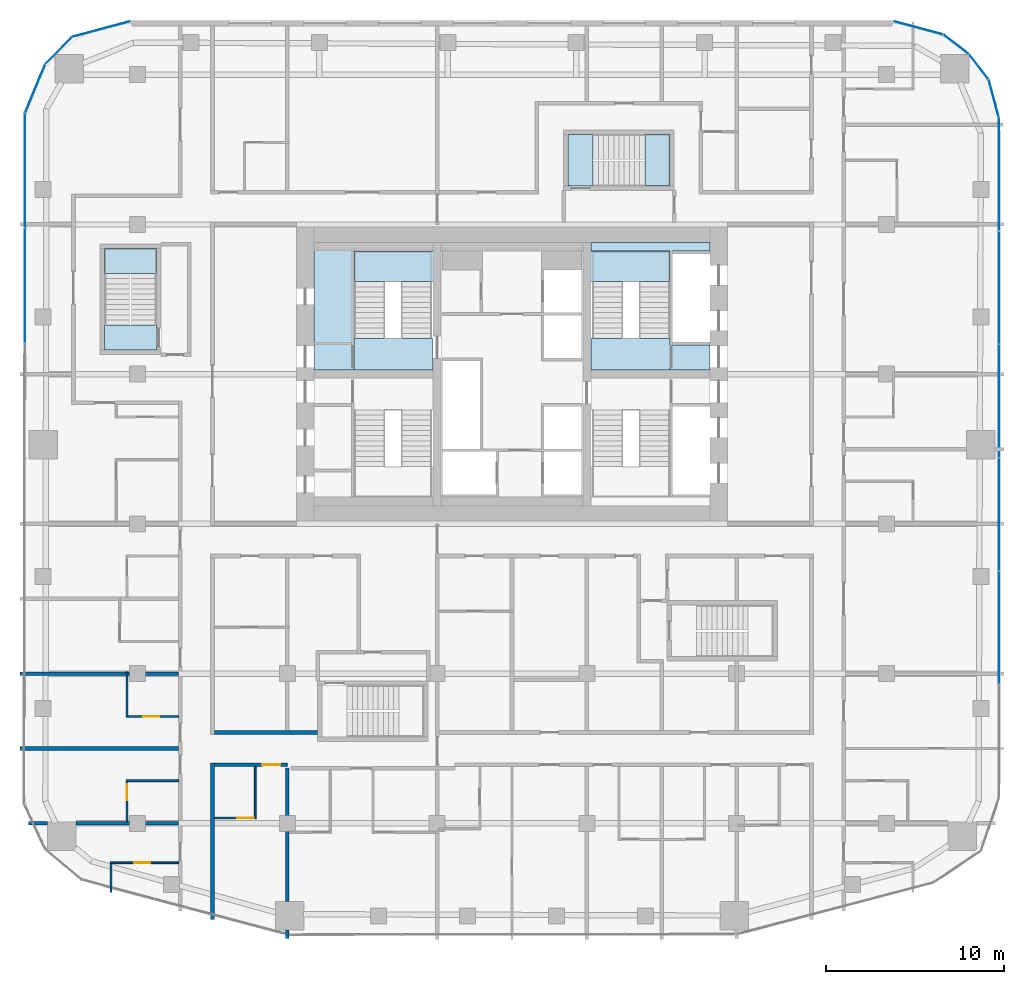
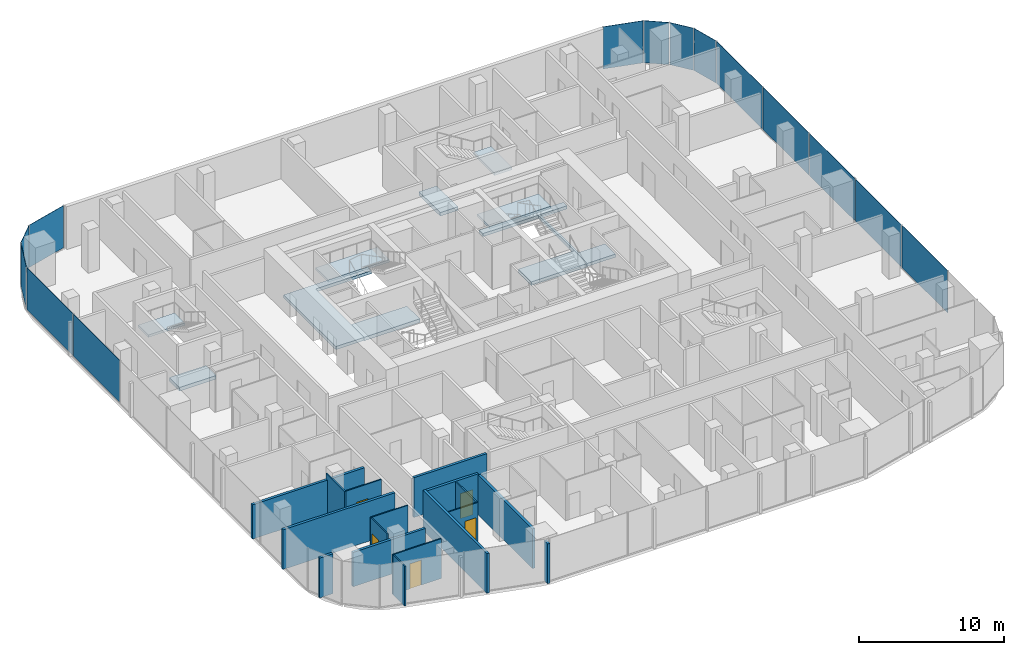
# One storey, part 13 of 23: 17 walls, 14 plates, 10 slabs, 5 doors, 5 openings, 13 elements without a shape of their own.
"""IFC4 building model written with IfcOpenShell, lengths in metres."""

from ifc_helpers import new_model, si_unit, direction, frame, frame_2d, origin, origin_2d, place, context, subcontext, project, spatial, polyline, rectangle, outline, extrude, material, layer, layer_set, type_object, element, fill, aggregate, save


model = new_model("IFC4")

# Units and contexts
model_context = context("Model", 3, precision=1e-05, world=origin(), true_north=direction((0.0, 1.0)))
body_context = subcontext(model_context, "Body", "Model", "MODEL_VIEW")
ifc_project = project(units=[si_unit("LENGTHUNIT", "METRE"), si_unit("AREAUNIT", "SQUARE_METRE"), si_unit("VOLUMEUNIT", "CUBIC_METRE"), si_unit("PLANEANGLEUNIT", "RADIAN"), si_unit("MASSUNIT", "GRAM", prefix="KILO")], contexts=[model_context])

# Site, building, storey
site_placement = place(None, origin())
site = spatial("IfcSite", under=ifc_project, at=site_placement, CompositionType="ELEMENT")
building_placement = place(site_placement, origin())
building = spatial("IfcBuilding", under=site, at=building_placement, Name="Marenta Gate Hotel Tower", CompositionType="ELEMENT")
storey_placement = place(building_placement, frame((0.0, 0.0, 155.300048828125)))
storey = spatial("IfcBuildingStorey", under=building, at=storey_placement, Name="L36", CompositionType="ELEMENT", Elevation=155.300048828125)

# Slabs
ifc_material_1 = material(Name="Concrete C40", Category="concrete")
ifc_layer_1 = layer(ifc_material_1, 0.260009765625)
ifc_layer_set_1 = layer_set([ifc_layer_1], Name="Concrete C40")
slab_type_1 = type_object("IfcSlabType", Name="Core floor slab 260", PredefinedType="FLOOR", material=ifc_layer_set_1)
slab_1_placement = place(storey_placement, frame((0.0, 0.0, -0.260009765625)))
element("IfcSlab", 1, at=slab_1_placement, inside=storey, type_object=slab_type_1, Name="L36-CF-3", PredefinedType="FLOOR", context=body_context, shape_type="SweptSolid", body=[
    extrude(outline(polyline([(8.85009765625, 15.300048828125), (4.425048828125, 15.300048828125), (4.425048828125, 15.800048828125), (11.10009765625, 15.800048828125), (11.10009765625, 15.300048828125), (9.0, 15.300048828125), (9.0, 15.14990234375), (9.0, 12.75), (9.0, 12.60009765625), (9.0, 10.199951171875), (9.0, 10.050048828125), (11.10009765625, 10.050048828125), (11.10009765625, 8.625), (8.85009765625, 8.625), (8.85009765625, 8.699951171875), (8.85009765625, 10.39990234375), (8.85009765625, 15.300048828125)])), origin(), (0.0, 0.0, 1.0), 0.260009765625),
])
slab_2_placement = place(storey_placement, frame((0.0, 0.0, -0.260009765625)))
element("IfcSlab", 2, at=slab_2_placement, inside=storey, type_object=slab_type_1, Name="L36-CF-6", PredefinedType="FLOOR", context=body_context, shape_type="SweptSolid", body=[
    extrude(outline(polyline([(-4.425048828125, 15.300048828125), (-8.85009765625, 15.300048828125), (-8.85009765625, 10.39990234375), (-8.85009765625, 8.699951171875), (-8.85009765625, 8.625), (-11.10009765625, 8.625), (-11.10009765625, 15.800048828125), (-4.425048828125, 15.800048828125), (-4.425048828125, 15.300048828125)])), origin(), (0.0, 0.0, 1.0), 0.260009765625),
])

# Stair, slab
ifc_material_2 = material(Name="Concrete C40", Category="concrete")
stair_type_1 = type_object("IfcStairType", Name="Core exit stair 1700 wide", PredefinedType="HALF_TURN_STAIR", material=ifc_material_2)
stair_1_placement = place(storey_placement, origin())
stair_1 = element("IfcStair", 3, at=stair_1_placement, inside=storey, type_object=stair_type_1, Name="Exit stair 2", PredefinedType="HALF_TURN_STAIR")
ifc_material_3 = material(Name="Concrete C40", Category="concrete")
ifc_layer_2 = layer(ifc_material_3, 0.199951171875)
ifc_layer_set_2 = layer_set([ifc_layer_2], Name="Concrete C40")
slab_type_2 = type_object("IfcSlabType", Name="Core stair landing 200", PredefinedType="LANDING", material=ifc_layer_set_2)
slab_3_placement = place(storey_placement, frame((0.0, 0.0, 1.599853515625)))
slab_3 = element("IfcSlab", 4, at=slab_3_placement, type_object=slab_type_2, Name="SL-200 ST2 landing 1", PredefinedType="LANDING", context=body_context, shape_type="SweptSolid", body=[
    extrude(outline(polyline([(-8.85009765625, 13.590087890625), (-3.97509765625, 13.590087890625), (-3.97509765625, 15.300048828125), (-8.85009765625, 15.300048828125), (-8.85009765625, 13.590087890625)])), origin(), (0.0, 0.0, 1.0), 0.2001953125),
])
aggregate(stair_1, [slab_3])

stair_2_placement = place(storey_placement, origin())
stair_2 = element("IfcStair", 5, at=stair_2_placement, inside=storey, type_object=stair_type_1, Name="Exit stair 4", PredefinedType="HALF_TURN_STAIR")
slab_4_placement = place(storey_placement, frame((0.0, 0.0, 1.599853515625)))
slab_4 = element("IfcSlab", 6, at=slab_4_placement, type_object=slab_type_2, Name="SL-200 ST4 landing 1", PredefinedType="LANDING", context=body_context, shape_type="SweptSolid", body=[
    extrude(outline(polyline([(3.97509765625, 13.590087890625), (8.85009765625, 13.590087890625), (8.85009765625, 15.300048828125), (3.97509765625, 15.300048828125), (3.97509765625, 13.590087890625)])), origin(), (0.0, 0.0, 1.0), 0.2001953125),
])
aggregate(stair_2, [slab_4])

# Curtain wall, plate
ifc_material_4 = material(Name="Tinted insulated glass in bronze anodised frame", Category="glass")
ifc_layer_3 = layer(ifc_material_4, 0.1201171875)
ifc_layer_set_3 = layer_set([ifc_layer_3], Name="Tinted insulated glass in bronze anodised frame")
curtain_wall_type = type_object("IfcCurtainWallType", Name="Tower unitised curtain wall CW1", PredefinedType="NOTDEFINED", material=ifc_layer_set_3)
curtain_wall_1_placement = place(storey_placement, origin())
curtain_wall_1 = element("IfcCurtainWall", 7, at=curtain_wall_1_placement, inside=storey, type_object=curtain_wall_type, Name="CW1 run G00", PredefinedType="NOTDEFINED")
ifc_material_5 = material(Name="Tinted insulated glass", Category="glass")
ifc_layer_4 = layer(ifc_material_5, 0.028076171875)
ifc_layer_set_4 = layer_set([ifc_layer_4], Name="Tinted insulated glass")
plate_type = type_object("IfcPlateType", Name="Glass panel CW1 28 mm tinted insulated unit", PredefinedType="CURTAIN_PANEL", material=ifc_layer_set_4)
plate_1_placement = place(storey_placement, frame((-23.04052734375, 27.759765625, 0.059814453125), z_axis=(0.0, 0.0, 1.0), x_axis=(-0.96593059835, -0.258801234873, 0.0)))
plate_1 = element("IfcPlate", 8, at=plate_1_placement, type_object=plate_type, Name="CW1 panel 1.1", PredefinedType="CURTAIN_PANEL", context=body_context, shape_type="SweptSolid", body=[
    extrude(rectangle(XDim=3.366943359375, YDim=0.028076171875, at=origin_2d()), origin(), (0.0, 0.0, 1.0), 3.5400390625),
])
aggregate(curtain_wall_1, [plate_1])

curtain_wall_2_placement = place(storey_placement, origin())
curtain_wall_2 = element("IfcCurtainWall", 9, at=curtain_wall_2_placement, inside=storey, type_object=curtain_wall_type, Name="CW1 run G01", PredefinedType="NOTDEFINED")
plate_2_placement = place(storey_placement, frame((-25.440673828125, 26.550048828125, 0.059814453125), z_axis=(0.0, 0.0, 1.0), x_axis=(-0.707106781187, -0.707106781187, 0.0)))
plate_2 = element("IfcPlate", 10, at=plate_2_placement, type_object=plate_type, Name="CW1 panel 1.1", PredefinedType="CURTAIN_PANEL", context=body_context, shape_type="SweptSolid", body=[
    extrude(rectangle(XDim=2.069091796875, YDim=0.028076171875, at=origin_2d()), origin(), (0.0, 0.0, 1.0), 3.5400390625),
])
aggregate(curtain_wall_2, [plate_2])

curtain_wall_3_placement = place(storey_placement, origin())
curtain_wall_3 = element("IfcCurtainWall", 11, at=curtain_wall_3_placement, inside=storey, type_object=curtain_wall_type, Name="CW1 run G02", PredefinedType="NOTDEFINED")
plate_3_placement = place(storey_placement, frame((-26.75390625, 24.41455078125, 0.059814453125), z_axis=(0.0, 0.0, 1.0), x_axis=(-0.382671975111, -0.923884278178, 0.0)))
plate_3 = element("IfcPlate", 12, at=plate_3_placement, type_object=plate_type, Name="CW1 panel 1.1", PredefinedType="CURTAIN_PANEL", context=body_context, shape_type="SweptSolid", body=[
    extrude(rectangle(XDim=2.919189453125, YDim=0.028076171875, at=origin_2d()), origin(), (0.0, 0.0, 1.0), 3.5400390625),
])
aggregate(curtain_wall_3, [plate_3])

# Curtain wall, plates
curtain_wall_4_placement = place(storey_placement, origin())
curtain_wall_4 = element("IfcCurtainWall", 13, at=curtain_wall_4_placement, inside=storey, type_object=curtain_wall_type, Name="CW1 run G03", PredefinedType="NOTDEFINED")
plate_4_placement = place(storey_placement, frame((-27.3173828125, 19.8212890625, 0.059814453125), z_axis=(0.0, 0.0, 1.0), x_axis=(-0.001566045546, -0.99999877375, 0.0)))
plate_4 = element("IfcPlate", 14, at=plate_4_placement, type_object=plate_type, Name="CW1 panel 1.1", PredefinedType="CURTAIN_PANEL", context=body_context, shape_type="SweptSolid", body=[
    extrude(rectangle(XDim=6.3701171875, YDim=0.028076171875, at=origin_2d()), origin(), (0.0, 0.0, 1.0), 3.5400390625),
])
plate_5_placement = place(storey_placement, frame((-27.327392578125, 13.376220703125, 0.059814453125), z_axis=(0.0, 0.0, 1.0), x_axis=(-0.001566045546, -0.99999877375, 0.0)))
plate_5 = element("IfcPlate", 15, at=plate_5_placement, type_object=plate_type, Name="CW1 panel 2.1", PredefinedType="CURTAIN_PANEL", context=body_context, shape_type="SweptSolid", body=[
    extrude(rectangle(XDim=6.39990234375, YDim=0.028076171875, at=origin_2d()), origin(), (0.0, 0.0, 1.0), 3.5400390625),
])
aggregate(curtain_wall_4, [plate_4, plate_5])

curtain_wall_5_placement = place(storey_placement, origin())
curtain_wall_5 = element("IfcCurtainWall", 16, at=curtain_wall_5_placement, inside=storey, type_object=curtain_wall_type, Name="CW1 run G11", PredefinedType="NOTDEFINED")
plate_6_placement = place(storey_placement, frame((27.31396484375, -5.828125, 0.059814453125), z_axis=(0.0, 0.0, 1.0), x_axis=(0.0, 1.0, 0.0)))
plate_6 = element("IfcPlate", 17, at=plate_6_placement, type_object=plate_type, Name="CW1 panel 2.1", PredefinedType="CURTAIN_PANEL", context=body_context, shape_type="SweptSolid", body=[
    extrude(rectangle(XDim=6.300048828125, YDim=0.028076171875, at=origin_2d()), origin(), (0.0, 0.0, 1.0), 3.5400390625),
])
plate_7_placement = place(storey_placement, frame((27.31396484375, 0.531982421875, 0.059814453125), z_axis=(0.0, 0.0, 1.0), x_axis=(0.0, 1.0, 0.0)))
plate_7 = element("IfcPlate", 18, at=plate_7_placement, type_object=plate_type, Name="CW1 panel 3.1", PredefinedType="CURTAIN_PANEL", context=body_context, shape_type="SweptSolid", body=[
    extrude(rectangle(XDim=6.300048828125, YDim=0.028076171875, at=origin_2d()), origin(), (0.0, 0.0, 1.0), 3.5400390625),
])
plate_8_placement = place(storey_placement, frame((27.31396484375, 6.891845703125, 0.059814453125), z_axis=(0.0, 0.0, 1.0), x_axis=(0.0, 1.0, 0.0)))
plate_8 = element("IfcPlate", 19, at=plate_8_placement, type_object=plate_type, Name="CW1 panel 4.1", PredefinedType="CURTAIN_PANEL", context=body_context, shape_type="SweptSolid", body=[
    extrude(rectangle(XDim=6.300048828125, YDim=0.028076171875, at=origin_2d()), origin(), (0.0, 0.0, 1.0), 3.5400390625),
])
plate_9_placement = place(storey_placement, frame((27.31396484375, 13.251953125, 0.059814453125), z_axis=(0.0, 0.0, 1.0), x_axis=(0.0, 1.0, 0.0)))
plate_9 = element("IfcPlate", 20, at=plate_9_placement, type_object=plate_type, Name="CW1 panel 5.1", PredefinedType="CURTAIN_PANEL", context=body_context, shape_type="SweptSolid", body=[
    extrude(rectangle(XDim=6.300048828125, YDim=0.028076171875, at=origin_2d()), origin(), (0.0, 0.0, 1.0), 3.5400390625),
])
plate_10_placement = place(storey_placement, frame((27.31396484375, 19.626953125, 0.059814453125), z_axis=(0.0, 0.0, 1.0), x_axis=(0.0, 1.0, 0.0)))
plate_10 = element("IfcPlate", 21, at=plate_10_placement, type_object=plate_type, Name="CW1 panel 6.1", PredefinedType="CURTAIN_PANEL", context=body_context, shape_type="SweptSolid", body=[
    extrude(rectangle(XDim=6.330078125, YDim=0.028076171875, at=origin_2d()), origin(), (0.0, 0.0, 1.0), 3.5400390625),
])
aggregate(curtain_wall_5, [plate_6, plate_7, plate_8, plate_9, plate_10])

# Curtain wall, plate
curtain_wall_6_placement = place(storey_placement, origin())
curtain_wall_6 = element("IfcCurtainWall", 22, at=curtain_wall_6_placement, inside=storey, type_object=curtain_wall_type, Name="CW1 run G12", PredefinedType="NOTDEFINED")
plate_11_placement = place(storey_placement, frame((27.022216796875, 23.880615234375, 0.059814453125), z_axis=(0.0, 0.0, 1.0), x_axis=(-0.258822651658, 0.965924859908, 0.0)))
plate_11 = element("IfcPlate", 23, at=plate_11_placement, type_object=plate_type, Name="CW1 panel 1.1", PredefinedType="CURTAIN_PANEL", context=body_context, shape_type="SweptSolid", body=[
    extrude(rectangle(XDim=2.13427734375, YDim=0.028076171875, at=origin_2d()), origin(), (0.0, 0.0, 1.0), 3.5400390625),
])
aggregate(curtain_wall_6, [plate_11])

curtain_wall_7_placement = place(storey_placement, origin())
curtain_wall_7 = element("IfcCurtainWall", 24, at=curtain_wall_7_placement, inside=storey, type_object=curtain_wall_type, Name="CW1 run G13", PredefinedType="NOTDEFINED")
plate_12_placement = place(storey_placement, frame((26.177490234375, 25.652099609375, 0.059814453125), z_axis=(0.0, 0.0, 1.0), x_axis=(-0.608796116694, 0.793326722289, 0.0)))
plate_12 = element("IfcPlate", 25, at=plate_12_placement, type_object=plate_type, Name="CW1 panel 1.1", PredefinedType="CURTAIN_PANEL", context=body_context, shape_type="SweptSolid", body=[
    extrude(rectangle(XDim=1.747802734375, YDim=0.028076171875, at=origin_2d()), origin(), (0.0, 0.0, 1.0), 3.5400390625),
])
aggregate(curtain_wall_7, [plate_12])

curtain_wall_8_placement = place(storey_placement, origin())
curtain_wall_8 = element("IfcCurtainWall", 26, at=curtain_wall_8_placement, inside=storey, type_object=curtain_wall_type, Name="CW1 run G14", PredefinedType="NOTDEFINED")
plate_13_placement = place(storey_placement, frame((24.904541015625, 26.9140625, 0.059814453125), z_axis=(0.0, 0.0, 1.0), x_axis=(-0.793326722289, 0.608796116694, 0.0)))
plate_13 = element("IfcPlate", 27, at=plate_13_placement, type_object=plate_type, Name="CW1 panel 1.1", PredefinedType="CURTAIN_PANEL", context=body_context, shape_type="SweptSolid", body=[
    extrude(rectangle(XDim=1.747802734375, YDim=0.028076171875, at=origin_2d()), origin(), (0.0, 0.0, 1.0), 3.5400390625),
])
aggregate(curtain_wall_8, [plate_13])

curtain_wall_9_placement = place(storey_placement, origin())
curtain_wall_9 = element("IfcCurtainWall", 28, at=curtain_wall_9_placement, inside=storey, type_object=curtain_wall_type, Name="CW1 run G15", PredefinedType="NOTDEFINED")
plate_14_placement = place(storey_placement, frame((22.783935546875, 27.82861328125, 0.059814453125), z_axis=(0.0, 0.0, 1.0), x_axis=(-0.965929324305, 0.258805989975, 0.0)))
plate_14 = element("IfcPlate", 29, at=plate_14_placement, type_object=plate_type, Name="CW1 panel 1.1", PredefinedType="CURTAIN_PANEL", context=body_context, shape_type="SweptSolid", body=[
    extrude(rectangle(XDim=2.83544921875, YDim=0.028076171875, at=origin_2d()), origin(), (0.0, 0.0, 1.0), 3.5400390625),
])
aggregate(curtain_wall_9, [plate_14])

# Stair, slab
ifc_material_6 = material(Name="Concrete C40", Category="concrete")
stair_type_2 = type_object("IfcStairType", Name="Remote exit stair 1400 wide", PredefinedType="HALF_TURN_STAIR", material=ifc_material_6)
stair_3_placement = place(storey_placement, origin())
stair_3 = element("IfcStair", 30, at=stair_3_placement, inside=storey, type_object=stair_type_2, Name="Exit stair RS-Z1-3", PredefinedType="HALF_TURN_STAIR")
ifc_material_7 = material(Name="Concrete C40", Category="concrete")
ifc_layer_5 = layer(ifc_material_7, 0.199951171875)
ifc_layer_set_5 = layer_set([ifc_layer_5], Name="Concrete C40")
slab_type_3 = type_object("IfcSlabType", Name="Remote stair landing 200", PredefinedType="LANDING", material=ifc_layer_set_5)
slab_5_placement = place(storey_placement, frame((0.0, 0.0, 1.599853515625)))
slab_5 = element("IfcSlab", 31, at=slab_5_placement, type_object=slab_type_3, Name="RL-200 RS-Z1-3 landing 1", PredefinedType="LANDING", context=body_context, shape_type="SweptSolid", body=[
    extrude(outline(polyline([(-22.85009765625, 14.050048828125), (-19.949951171875, 14.050048828125), (-19.949951171875, 15.449951171875), (-22.85009765625, 15.449951171875), (-22.85009765625, 14.050048828125)])), origin(), (0.0, 0.0, 1.0), 0.2001953125),
])
aggregate(stair_3, [slab_5])

stair_4_placement = place(storey_placement, origin())
stair_4 = element("IfcStair", 32, at=stair_4_placement, inside=storey, type_object=stair_type_2, Name="Exit stair RS-Z2-4", PredefinedType="HALF_TURN_STAIR")
slab_6_placement = place(storey_placement, frame((0.0, 0.0, 1.599853515625)))
slab_6 = element("IfcSlab", 33, at=slab_6_placement, type_object=slab_type_3, Name="RL-200 RS-Z2-4 landing 1", PredefinedType="LANDING", context=body_context, shape_type="SweptSolid", body=[
    extrude(outline(polyline([(7.449951171875, 18.949951171875), (8.85009765625, 18.949951171875), (8.85009765625, 21.85009765625), (7.449951171875, 21.85009765625), (7.449951171875, 18.949951171875)])), origin(), (0.0, 0.0, 1.0), 0.2001953125),
])
aggregate(stair_4, [slab_6])

# Slabs
ifc_material_8 = material(Name="Concrete C40", Category="concrete")
ifc_layer_6 = layer(ifc_material_8, 0.300048828125)
ifc_layer_set_6 = layer_set([ifc_layer_6], Name="Concrete C40")
slab_type_4 = type_object("IfcSlabType", Name="Stair floor landing slab 300", PredefinedType="FLOOR", material=ifc_layer_set_6)
slab_7_placement = place(storey_placement, frame((0.0, 0.0, -0.300048828125)))
element("IfcSlab", 34, at=slab_7_placement, inside=storey, type_object=slab_type_4, Name="L36-CL-ST2-1", PredefinedType="FLOOR", context=body_context, shape_type="SweptSolid", body=[
    extrude(outline(polyline([(-4.425048828125, 8.625), (-8.85009765625, 8.625), (-8.85009765625, 8.699951171875), (-8.85009765625, 10.39990234375), (-4.425048828125, 10.39990234375), (-4.425048828125, 8.625)])), origin(), (0.0, 0.0, 1.0), 0.300048828125),
])
slab_8_placement = place(storey_placement, frame((0.0, 0.0, -0.300048828125)))
element("IfcSlab", 35, at=slab_8_placement, inside=storey, type_object=slab_type_4, Name="L36-CL-ST4-1", PredefinedType="FLOOR", context=body_context, shape_type="SweptSolid", body=[
    extrude(outline(polyline([(4.425048828125, 8.625), (4.425048828125, 10.39990234375), (8.85009765625, 10.39990234375), (8.85009765625, 8.699951171875), (8.85009765625, 8.625), (4.425048828125, 8.625)])), origin(), (0.0, 0.0, 1.0), 0.300048828125),
])
slab_9_placement = place(storey_placement, frame((0.0, 0.0, -0.300048828125)))
element("IfcSlab", 36, at=slab_9_placement, inside=storey, type_object=slab_type_4, Name="L36-RS-Z1-3-CL", PredefinedType="FLOOR", context=body_context, shape_type="SweptSolid", body=[
    extrude(outline(polyline([(-19.949951171875, 9.75), (-19.949951171875, 11.14990234375), (-22.85009765625, 11.14990234375), (-22.85009765625, 9.75), (-19.949951171875, 9.75)])), origin(), (0.0, 0.0, 1.0), 0.300048828125),
])
slab_10_placement = place(storey_placement, frame((0.0, 0.0, -0.300048828125)))
element("IfcSlab", 37, at=slab_10_placement, inside=storey, type_object=slab_type_4, Name="L36-RS-Z2-4-CL", PredefinedType="FLOOR", context=body_context, shape_type="SweptSolid", body=[
    extrude(outline(polyline([(4.550048828125, 18.949951171875), (4.550048828125, 21.85009765625), (3.14990234375, 21.85009765625), (3.14990234375, 18.949951171875), (4.550048828125, 18.949951171875)])), origin(), (0.0, 0.0, 1.0), 0.300048828125),
])

# Wall, opening, door
ifc_material_9 = material(Name="Gypsum board on steel stud", Category="steel")
ifc_layer_7 = layer(ifc_material_9, 0.199951171875)
ifc_layer_set_7 = layer_set([ifc_layer_7], Name="Gypsum board on steel stud")
wall_type_1 = type_object("IfcWallType", Name="Room corridor wall 200 EI 60", PredefinedType="PARTITIONING", material=ifc_layer_set_7)
wall_1_placement = place(storey_placement, frame((-16.699951171875, -13.5, 0.0), z_axis=(0.0, 0.0, 1.0), x_axis=(1.0, 0.0, 0.0)))
wall_1 = element("IfcWall", 38, at=wall_1_placement, inside=storey, type_object=wall_type_1, Name="L36-PTN-W025", PredefinedType="PARTITIONING", context=body_context, shape_type="SweptSolid", body=[
    extrude(rectangle(XDim=4.099853515625, YDim=0.199951171875, at=frame_2d((2.0498046875, 0.0))), origin(), (0.0, 0.0, 1.0), 3.33984375),
])
opening_1_placement = place(wall_1_placement, frame((2.699951171875, 0.0, 0.0)))
opening_1 = element("IfcOpeningElement", 39, at=opening_1_placement, cuts=wall_1, Name="Opening G13-29", PredefinedType="OPENING", context=body_context, shape_type="SweptSolid", body=[
    extrude(rectangle(XDim=1.0, YDim=2.10009765625, at=frame_2d((0.5, 1.050048828125))), frame((0.0, 0.10009765625, 0.0), z_axis=(0.0, -1.0, 0.0), x_axis=(1.0, 0.0, 0.0)), (0.0, 0.0, 1.0), 0.199951171875),
])
ifc_material_10 = material(Name="Timber door leaf", Category="wood")
door_type_1 = type_object("IfcDoorType", Name="Guest room door 1000x2100 EI 30", OperationType="NOTDEFINED", PredefinedType="DOOR", material=ifc_material_10)
door_1_placement = place(opening_1_placement, origin())
door_1 = element("IfcDoor", 40, at=door_1_placement, inside=storey, type_object=door_type_1, Name="L36-PD-D029", OperationType="SINGLE_SWING_LEFT", OverallHeight=2.10009765625, OverallWidth=1.0, PredefinedType="DOOR", context=body_context, shape_type="SweptSolid", body=[
    extrude(rectangle(XDim=1.0, YDim=2.10009765625, at=frame_2d((0.5, 1.050048828125))), frame((0.0, 0.02490234375, 0.0), z_axis=(0.0, -1.0, 0.0), x_axis=(1.0, 0.0, 0.0)), (0.0, 0.0, 1.0), 0.050048828125),
])
fill(opening_1, door_1)

# Walls
wall_2_placement = place(storey_placement, frame((-16.699951171875, -11.699951171875, 0.0), z_axis=(0.0, 0.0, 1.0), x_axis=(1.0, 0.0, 0.0)))
element("IfcWall", 41, at=wall_2_placement, inside=storey, type_object=wall_type_1, Name="L36-PTN-W033", PredefinedType="PARTITIONING", context=body_context, shape_type="SweptSolid", body=[
    extrude(rectangle(XDim=5.800048828125, YDim=0.199951171875, at=frame_2d((2.89990234375, 0.0))), origin(), (0.0, 0.0, 1.0), 3.33984375),
])
wall_3_placement = place(storey_placement, frame((-16.800048828125, -22.18603515625, 0.0), z_axis=(0.0, 0.0, 1.0), x_axis=(0.0, 1.0, 0.0)))
element("IfcWall", 42, at=wall_3_placement, inside=storey, type_object=wall_type_1, Name="L36-PTN-W094", PredefinedType="PARTITIONING", context=body_context, shape_type="SweptSolid", body=[
    extrude(rectangle(XDim=8.7861328125, YDim=0.199951171875, at=frame_2d((4.39306640625, 0.0))), origin(), (0.0, 0.0, 1.0), 3.33984375),
])

# Wall, opening, door
ifc_material_11 = material(Name="Gypsum board on steel stud", Category="steel")
ifc_layer_8 = layer(ifc_material_11, 0.10009765625)
ifc_layer_set_8 = layer_set([ifc_layer_8], Name="Gypsum board on steel stud")
wall_type_2 = type_object("IfcWallType", Name="Room partition 100", PredefinedType="PARTITIONING", material=ifc_layer_set_8)
wall_4_placement = place(storey_placement, frame((-22.550048828125, -19.008056640625, 0.0), z_axis=(0.0, 0.0, 1.0), x_axis=(1.0, 0.0, 0.0)))
wall_4 = element("IfcWall", 43, at=wall_4_placement, inside=storey, type_object=wall_type_2, Name="L36-PTN-W007", PredefinedType="PARTITIONING", context=body_context, shape_type="SweptSolid", body=[
    extrude(rectangle(XDim=3.85009765625, YDim=0.10009765625, at=frame_2d((1.925048828125, 0.0))), origin(), (0.0, 0.0, 1.0), 3.33984375),
])
opening_2_placement = place(wall_4_placement, frame((1.35498046875, 0.0, 0.0)))
opening_2 = element("IfcOpeningElement", 44, at=opening_2_placement, cuts=wall_4, Name="Opening G13-44", PredefinedType="OPENING", context=body_context, shape_type="SweptSolid", body=[
    extrude(rectangle(XDim=0.89990234375, YDim=2.10009765625, at=frame_2d((0.449951171875, 1.050048828125))), frame((0.0, 0.050048828125, 0.0), z_axis=(0.0, -1.0, 0.0), x_axis=(1.0, 0.0, 0.0)), (0.0, 0.0, 1.0), 0.10009765625),
])
ifc_material_12 = material(Name="Timber door leaf", Category="wood")
door_type_2 = type_object("IfcDoorType", Name="Guest bathroom door 900x2100", OperationType="NOTDEFINED", PredefinedType="DOOR", material=ifc_material_12)
door_2_placement = place(opening_2_placement, origin())
door_2 = element("IfcDoor", 45, at=door_2_placement, inside=storey, type_object=door_type_2, Name="L36-PD-D044", OperationType="SINGLE_SWING_LEFT", OverallHeight=2.10009765625, OverallWidth=0.89990234375, PredefinedType="DOOR", context=body_context, shape_type="SweptSolid", body=[
    extrude(rectangle(XDim=0.89990234375, YDim=2.10009765625, at=frame_2d((0.449951171875, 1.050048828125))), frame((0.0, 0.02490234375, 0.0), z_axis=(0.0, -1.0, 0.0), x_axis=(1.0, 0.0, 0.0)), (0.0, 0.0, 1.0), 0.050048828125),
])
fill(opening_2, door_2)

wall_5_placement = place(storey_placement, frame((-16.699951171875, -16.5, 0.0), z_axis=(0.0, 0.0, 1.0), x_axis=(1.0, 0.0, 0.0)))
wall_5 = element("IfcWall", 46, at=wall_5_placement, inside=storey, type_object=wall_type_2, Name="L36-PTN-W020", PredefinedType="PARTITIONING", context=body_context, shape_type="SweptSolid", body=[
    extrude(rectangle(XDim=2.349853515625, YDim=0.10009765625, at=frame_2d((1.1748046875, 0.0))), origin(), (0.0, 0.0, 1.0), 3.33984375),
])
opening_3_placement = place(wall_5_placement, frame((1.300048828125, 0.0, 0.0)))
opening_3 = element("IfcOpeningElement", 47, at=opening_3_placement, cuts=wall_5, Name="Opening G13-30", PredefinedType="OPENING", context=body_context, shape_type="SweptSolid", body=[
    extrude(rectangle(XDim=0.89990234375, YDim=2.10009765625, at=frame_2d((0.449951171875, 1.050048828125))), frame((0.0, 0.050048828125, 0.0), z_axis=(0.0, -1.0, 0.0), x_axis=(1.0, 0.0, 0.0)), (0.0, 0.0, 1.0), 0.10009765625),
])
door_3_placement = place(opening_3_placement, origin())
door_3 = element("IfcDoor", 48, at=door_3_placement, inside=storey, type_object=door_type_2, Name="L36-PD-D030", OperationType="SINGLE_SWING_RIGHT", OverallHeight=2.10009765625, OverallWidth=0.89990234375, PredefinedType="DOOR", context=body_context, shape_type="SweptSolid", body=[
    extrude(rectangle(XDim=0.89990234375, YDim=2.10009765625, at=frame_2d((0.449951171875, 1.050048828125))), frame((0.0, 0.02490234375, 0.0), z_axis=(0.0, -1.0, 0.0), x_axis=(1.0, 0.0, 0.0)), (0.0, 0.0, 1.0), 0.050048828125),
])
fill(opening_3, door_3)

# Wall
wall_6_placement = place(storey_placement, frame((-21.64990234375, -14.39990234375, 0.0), z_axis=(0.0, 0.0, 1.0), x_axis=(1.0, 0.0, 0.0)))
element("IfcWall", 49, at=wall_6_placement, inside=storey, type_object=wall_type_2, Name="L36-PTN-W022", PredefinedType="PARTITIONING", context=body_context, shape_type="SweptSolid", body=[
    extrude(rectangle(XDim=2.949951171875, YDim=0.10009765625, at=frame_2d((1.47509765625, 0.0))), origin(), (0.0, 0.0, 1.0), 3.33984375),
])

# Wall, opening, door
wall_7_placement = place(storey_placement, frame((-21.550048828125, -10.800048828125, 0.0), z_axis=(0.0, 0.0, 1.0), x_axis=(1.0, 0.0, 0.0)))
wall_7 = element("IfcWall", 50, at=wall_7_placement, inside=storey, type_object=wall_type_2, Name="L36-PTN-W036", PredefinedType="PARTITIONING", context=body_context, shape_type="SweptSolid", body=[
    extrude(rectangle(XDim=2.85009765625, YDim=0.10009765625, at=frame_2d((1.425048828125, 0.0))), origin(), (0.0, 0.0, 1.0), 3.33984375),
])
opening_4_placement = place(wall_7_placement, frame((0.85009765625, 0.0, 0.0)))
opening_4 = element("IfcOpeningElement", 51, at=opening_4_placement, cuts=wall_7, Name="Opening G13-48", PredefinedType="OPENING", context=body_context, shape_type="SweptSolid", body=[
    extrude(rectangle(XDim=0.89990234375, YDim=2.10009765625, at=frame_2d((0.449951171875, 1.050048828125))), frame((0.0, 0.050048828125, 0.0), z_axis=(0.0, -1.0, 0.0), x_axis=(1.0, 0.0, 0.0)), (0.0, 0.0, 1.0), 0.10009765625),
])
door_4_placement = place(opening_4_placement, origin())
door_4 = element("IfcDoor", 52, at=door_4_placement, inside=storey, type_object=door_type_2, Name="L36-PD-D048", OperationType="SINGLE_SWING_LEFT", OverallHeight=2.10009765625, OverallWidth=0.89990234375, PredefinedType="DOOR", context=body_context, shape_type="SweptSolid", body=[
    extrude(rectangle(XDim=0.89990234375, YDim=2.10009765625, at=frame_2d((0.449951171875, 1.050048828125))), frame((0.0, 0.02490234375, 0.0), z_axis=(0.0, -1.0, 0.0), x_axis=(1.0, 0.0, 0.0)), (0.0, 0.0, 1.0), 0.050048828125),
])
fill(opening_4, door_4)

# Wall
wall_8_placement = place(storey_placement, frame((-14.39990234375, -16.449951171875, 0.0), z_axis=(0.0, 0.0, 1.0), x_axis=(0.0, 1.0, 0.0)))
element("IfcWall", 53, at=wall_8_placement, inside=storey, type_object=wall_type_2, Name="L36-PTN-W091", PredefinedType="PARTITIONING", context=body_context, shape_type="SweptSolid", body=[
    extrude(rectangle(XDim=2.849853515625, YDim=0.10009765625, at=frame_2d((1.4248046875, 0.0))), origin(), (0.0, 0.0, 1.0), 3.33984375),
])

# Wall, opening, door
wall_9_placement = place(storey_placement, frame((-21.60009765625, -16.699951171875, 0.0), z_axis=(0.0, 0.0, 1.0), x_axis=(0.0, 1.0, 0.0)))
wall_9 = element("IfcWall", 54, at=wall_9_placement, inside=storey, type_object=wall_type_2, Name="L36-PTN-W107", PredefinedType="PARTITIONING", context=body_context, shape_type="SweptSolid", body=[
    extrude(rectangle(XDim=2.25, YDim=0.10009765625, at=frame_2d((1.125, 0.0))), origin(), (0.0, 0.0, 1.0), 3.33984375),
])
opening_5_placement = place(wall_9_placement, frame((1.199951171875, 0.0, 0.0)))
opening_5 = element("IfcOpeningElement", 55, at=opening_5_placement, cuts=wall_9, Name="Opening G13-46", PredefinedType="OPENING", context=body_context, shape_type="SweptSolid", body=[
    extrude(rectangle(XDim=0.89990234375, YDim=2.10009765625, at=frame_2d((0.449951171875, 1.050048828125))), frame((0.0, 0.050048828125, 0.0), z_axis=(0.0, -1.0, 0.0), x_axis=(1.0, 0.0, 0.0)), (0.0, 0.0, 1.0), 0.10009765625),
])
door_5_placement = place(opening_5_placement, origin())
door_5 = element("IfcDoor", 56, at=door_5_placement, inside=storey, type_object=door_type_2, Name="L36-PD-D046", OperationType="SINGLE_SWING_LEFT", OverallHeight=2.10009765625, OverallWidth=0.89990234375, PredefinedType="DOOR", context=body_context, shape_type="SweptSolid", body=[
    extrude(rectangle(XDim=0.89990234375, YDim=2.10009765625, at=frame_2d((0.449951171875, 1.050048828125))), frame((0.0, 0.02490234375, 0.0), z_axis=(0.0, -1.0, 0.0), x_axis=(1.0, 0.0, 0.0)), (0.0, 0.0, 1.0), 0.050048828125),
])
fill(opening_5, door_5)

# Walls
wall_10_placement = place(storey_placement, frame((-21.60009765625, -10.85009765625, 0.0), z_axis=(0.0, 0.0, 1.0), x_axis=(0.0, 1.0, 0.0)))
element("IfcWall", 57, at=wall_10_placement, inside=storey, type_object=wall_type_2, Name="L36-PTN-W108", PredefinedType="PARTITIONING", context=body_context, shape_type="SweptSolid", body=[
    extrude(rectangle(XDim=2.550048828125, YDim=0.10009765625, at=frame_2d((1.27490234375, 0.0))), origin(), (0.0, 0.0, 1.0), 3.33984375),
])
wall_11_placement = place(storey_placement, frame((-22.5, -20.674072265625, 0.0), z_axis=(0.0, 0.0, 1.0), x_axis=(0.0, 1.0, 0.0)))
element("IfcWall", 58, at=wall_11_placement, inside=storey, type_object=wall_type_2, Name="L36-PTN-W115", PredefinedType="PARTITIONING", context=body_context, shape_type="SweptSolid", body=[
    extrude(rectangle(XDim=1.615966796875, YDim=0.10009765625, at=frame_2d((0.80810546875, 0.0))), origin(), (0.0, 0.0, 1.0), 3.33984375),
])
ifc_material_13 = material(Name="Gypsum board on steel stud", Category="steel")
ifc_layer_9 = layer(ifc_material_13, 0.199951171875)
ifc_layer_set_9 = layer_set([ifc_layer_9], Name="Gypsum board on steel stud")
wall_type_3 = type_object("IfcWallType", Name="Room party wall 200 EI 60", PredefinedType="PARTITIONING", material=ifc_layer_set_9)
wall_12_placement = place(storey_placement, frame((-27.112060546875, -16.800048828125, 0.0), z_axis=(0.0, 0.0, 1.0), x_axis=(1.0, 0.0, 0.0)))
element("IfcWall", 59, at=wall_12_placement, inside=storey, type_object=wall_type_3, Name="L36-PTN-W018", PredefinedType="PARTITIONING", context=body_context, shape_type="SweptSolid", body=[
    extrude(rectangle(XDim=1.049072265625, YDim=0.199951171875, at=frame_2d((0.5244140625, 0.0))), origin(), (0.0, 0.0, 1.0), 3.33984375),
])
wall_13_placement = place(storey_placement, frame((-24.462890625, -16.800048828125, 0.0), z_axis=(0.0, 0.0, 1.0), x_axis=(1.0, 0.0, 0.0)))
element("IfcWall", 60, at=wall_13_placement, inside=storey, type_object=wall_type_3, Name="L36-PTN-W120", PredefinedType="PARTITIONING", context=body_context, shape_type="SweptSolid", body=[
    extrude(rectangle(XDim=5.762939453125, YDim=0.199951171875, at=frame_2d((2.88134765625, 0.0))), origin(), (0.0, 0.0, 1.0), 2.889892578125),
])
wall_14_placement = place(storey_placement, frame((-27.60009765625, -12.60009765625, 0.0), z_axis=(0.0, 0.0, 1.0), x_axis=(1.0, 0.0, 0.0)))
element("IfcWall", 61, at=wall_14_placement, inside=storey, type_object=wall_type_3, Name="L36-PTN-W031", PredefinedType="PARTITIONING", context=body_context, shape_type="SweptSolid", body=[
    extrude(rectangle(XDim=8.900146484375, YDim=0.199951171875, at=frame_2d((4.4501953125, 0.0))), origin(), (0.0, 0.0, 1.0), 3.33984375),
])
wall_15_placement = place(storey_placement, frame((-27.60009765625, -8.39990234375, 0.0), z_axis=(0.0, 0.0, 1.0), x_axis=(1.0, 0.0, 0.0)))
element("IfcWall", 62, at=wall_15_placement, inside=storey, type_object=wall_type_3, Name="L36-PTN-W044", PredefinedType="PARTITIONING", context=body_context, shape_type="SweptSolid", body=[
    extrude(rectangle(XDim=8.900146484375, YDim=0.199951171875, at=frame_2d((4.4501953125, 0.0))), origin(), (0.0, 0.0, 1.0), 2.889892578125),
])
wall_16_placement = place(storey_placement, frame((-12.60009765625, -23.26611328125, 0.0), z_axis=(0.0, 0.0, 1.0), x_axis=(0.0, 1.0, 0.0)))
element("IfcWall", 63, at=wall_16_placement, inside=storey, type_object=wall_type_3, Name="L36-PTN-W088", PredefinedType="PARTITIONING", context=body_context, shape_type="SweptSolid", body=[
    extrude(rectangle(XDim=0.4912109375, YDim=0.199951171875, at=frame_2d((0.24560546875, 0.0))), origin(), (0.0, 0.0, 1.0), 3.33984375),
])
wall_17_placement = place(storey_placement, frame((-12.60009765625, -21.175048828125, 0.0), z_axis=(0.0, 0.0, 1.0), x_axis=(0.0, 1.0, 0.0)))
element("IfcWall", 64, at=wall_17_placement, inside=storey, type_object=wall_type_3, Name="L36-PTN-W124", PredefinedType="PARTITIONING", context=body_context, shape_type="SweptSolid", body=[
    extrude(rectangle(XDim=7.47509765625, YDim=0.199951171875, at=frame_2d((3.737548828125, 0.0))), origin(), (0.0, 0.0, 1.0), 3.33984375),
])

save(model, "model.ifc")
